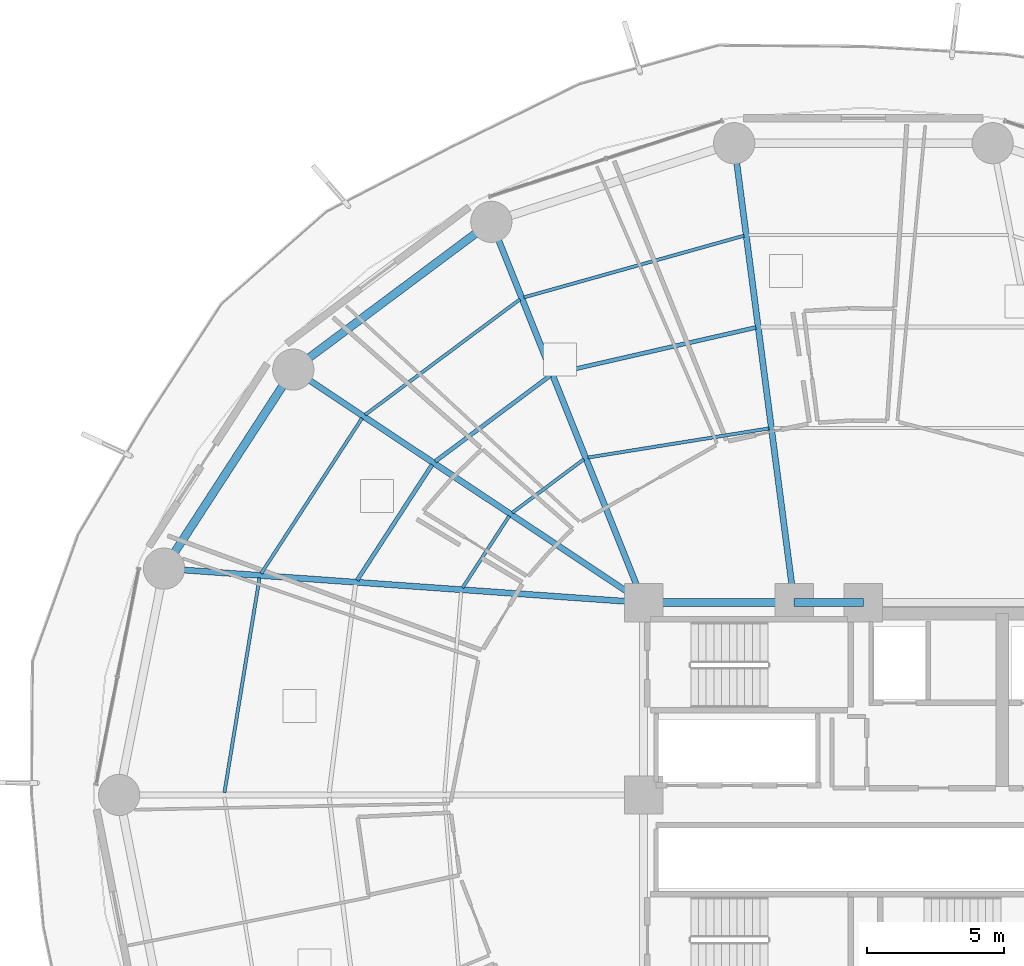
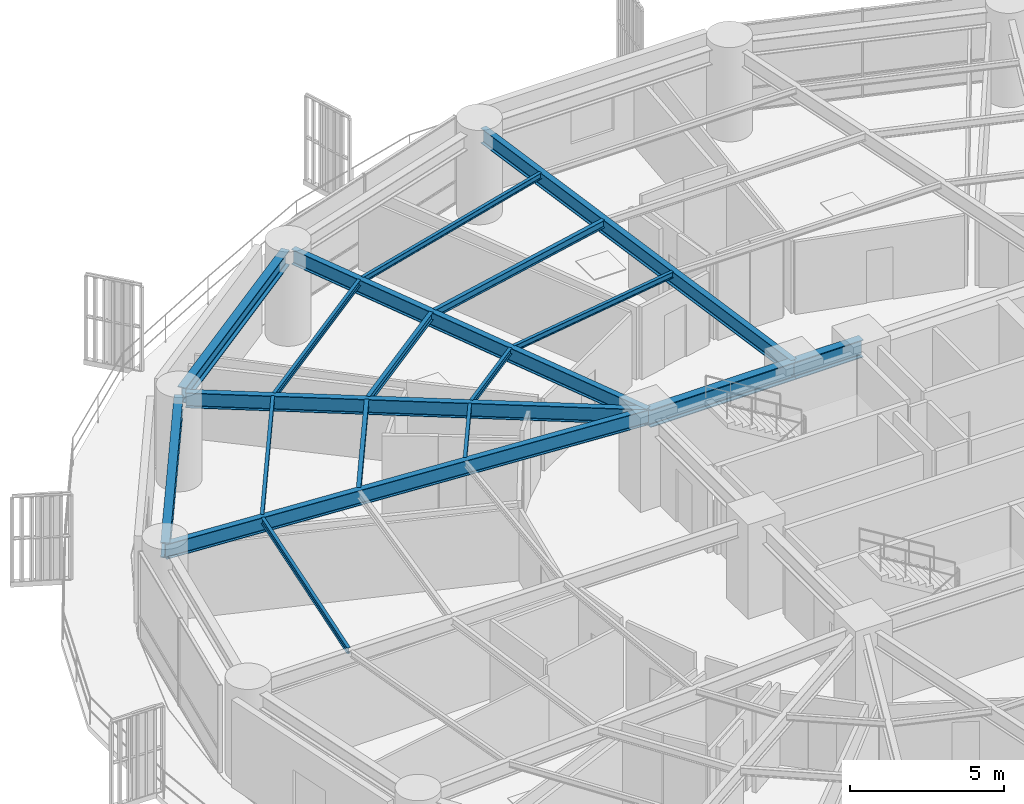
# One storey, part 16 of 34: 18 beams.
"""IFC4 building model written with IfcOpenShell, lengths in metres."""

import ifcopenshell
import ifcopenshell.guid

model = None  # the IFC model being written
_history = None  # IfcOwnerHistory: only IFC2X3 demands one
_inside = {}  # id of a spatial element -> (the spatial element, [elements in it])
_under = {}  # id of a project, library or spatial element -> (it, [spatial elements below it])
_declared = {}  # id of a project -> (the project, [libraries it declares])
_typed = {}  # id of a type object -> (the type object, [elements of that type])
_made_of = {}  # id of a material, layer set ... -> (it, [elements and type objects made of it])


def new_model(schema):
    """Start an empty IFC model of exactly this schema.

    Asked for "IFC4X3", IfcOpenShell would pick the latest addendum, in which some entities
    have other attributes; the version numbers below select the first issue.
    IFC2X3 requires an IfcOwnerHistory on every rooted entity: one is made here for all.
    """
    global model, _history
    if schema == "IFC4X3":
        model = ifcopenshell.file(schema_version=(4, 3, 0, 0))
    else:
        model = ifcopenshell.file(schema=schema)
    _inside.clear()
    _under.clear()
    _declared.clear()
    _typed.clear()
    _made_of.clear()
    _history = None
    if model.schema == "IFC2X3":
        org = make("IfcOrganization", Name="unknown")
        user = make(
            "IfcPersonAndOrganization",
            ThePerson=make("IfcPerson", FamilyName="unknown"),
            TheOrganization=org,
        )
        app = make(
            "IfcApplication",
            ApplicationDeveloper=org,
            Version="unknown",
            ApplicationFullName="unknown",
            ApplicationIdentifier="unknown",
        )
        _history = make(
            "IfcOwnerHistory",
            OwningUser=user,
            OwningApplication=app,
            ChangeAction="ADDED",
            CreationDate=0,
        )
    return model


def make(cls, **values):
    """One entity of the class cls with the attributes given. An attribute that is None is left unset."""
    return model.create_entity(
        cls, **{name: value for name, value in values.items() if value is not None}
    )


def rooted(cls, **values):
    """An entity with a GlobalId (a new one), such as an element, a storey or a relation."""
    return make(cls, GlobalId=ifcopenshell.guid.new(), OwnerHistory=_history, **values)


def si_unit(unit_type, name, prefix=None):
    """IfcSIUnit, for example si_unit("LENGTHUNIT", "METRE", prefix="MILLI")."""
    return make("IfcSIUnit", UnitType=unit_type, Prefix=prefix, Name=name)


def assignment(units):
    """IfcUnitAssignment: the units of a project."""
    return None if units is None else make("IfcUnitAssignment", Units=units)


def point(xyz):
    """IfcCartesianPoint."""
    return None if xyz is None else make("IfcCartesianPoint", Coordinates=xyz)


def direction(xyz):
    """IfcDirection."""
    return None if xyz is None else make("IfcDirection", DirectionRatios=xyz)


def frame(location, z_axis=None, x_axis=None):
    """IfcAxis2Placement3D, a coordinate frame: its origin and axes. An axis left out is left unset."""
    return make(
        "IfcAxis2Placement3D",
        Location=point(location),
        Axis=direction(z_axis),
        RefDirection=direction(x_axis),
    )


def frame_2d(location, x_axis=None):
    """IfcAxis2Placement2D, a coordinate frame in the plane: its origin and x axis."""
    return make(
        "IfcAxis2Placement2D", Location=point(location), RefDirection=direction(x_axis)
    )


def origin():
    """The frame at (0, 0, 0) with its axes left unset."""
    return frame((0.0, 0.0, 0.0))


def origin_2d():
    """The frame at (0, 0) in the plane with its x axis left unset."""
    return frame_2d((0.0, 0.0))


def place(relative_to, where):
    """IfcLocalPlacement: puts the frame where relative to a parent placement (None: the world)."""
    return make(
        "IfcLocalPlacement", PlacementRelTo=relative_to, RelativePlacement=where
    )


def context(
    kind, dimensions, precision=None, world=None, true_north=None, identifier=None
):
    """IfcGeometricRepresentationContext, for example the 3D "Model" context."""
    return make(
        "IfcGeometricRepresentationContext",
        ContextIdentifier=identifier,
        ContextType=kind,
        CoordinateSpaceDimension=dimensions,
        Precision=precision,
        WorldCoordinateSystem=world,
        TrueNorth=true_north,
    )


def subcontext(parent, identifier, kind, view, scale=None):
    """IfcGeometricRepresentationSubContext, for example "Body" below "Model"."""
    return make(
        "IfcGeometricRepresentationSubContext",
        ContextIdentifier=identifier,
        ContextType=kind,
        ParentContext=parent,
        TargetScale=scale,
        TargetView=view,
    )


def project(units=None, contexts=None):
    """IfcProject with its units and contexts."""
    return rooted(
        "IfcProject",
        Name="project",
        RepresentationContexts=contexts,
        UnitsInContext=assignment(units),
    )


def spatial(cls, under=None, at=None, **own):
    """A site, building, storey or space (cls), placed at a placement, below another one or the project."""
    s = rooted(cls, ObjectPlacement=at, **own)
    if under is not None:
        _under.setdefault(under.id(), (under, []))[1].append(s)
    return s


def profile(cls, at=None, kind="AREA", **sizes):
    """A parametric profile (cls). Its sizes go by their IFC names, for example OverallWidth=200.0."""
    return make(cls, ProfileType=kind, Position=at, **sizes)


def i_section(**sizes):
    """IfcIShapeProfileDef."""
    return profile("IfcIShapeProfileDef", **sizes)


def extrude(swept, where, along, depth):
    """IfcExtrudedAreaSolid: the profile swept, set in the frame where, extruded along a direction by depth."""
    return make(
        "IfcExtrudedAreaSolid",
        SweptArea=swept,
        Position=where,
        ExtrudedDirection=direction(along),
        Depth=depth,
    )


def shape(context_of_items, identifier, shape_type, items):
    """IfcShapeRepresentation: the items that make up one representation, for example the "Body"."""
    return make(
        "IfcShapeRepresentation",
        ContextOfItems=context_of_items,
        RepresentationIdentifier=identifier,
        RepresentationType=shape_type,
        Items=items,
    )


def material(Name=None, Category=None):
    """IfcMaterial."""
    return make("IfcMaterial", Name=Name, Category=Category)


def material_profile(
    of_material, cross_section, Name=None, Category=None, Priority=None
):
    """IfcMaterialProfile: a cross section and its material."""
    return make(
        "IfcMaterialProfile",
        Name=Name,
        Material=of_material,
        Profile=cross_section,
        Priority=Priority,
        Category=Category,
    )


def profile_set(profiles, Name=None, composite=None):
    """IfcMaterialProfileSet."""
    return make(
        "IfcMaterialProfileSet",
        Name=Name,
        MaterialProfiles=profiles,
        CompositeProfile=composite,
    )


def made_of(thing, what):
    """Note that an element or type object is made of a material, layer set ...; save() writes the relation."""
    if what is not None:
        _made_of.setdefault(what.id(), (what, []))[1].append(thing)
    return thing


def type_object(cls, material=None, **own):
    """A type object (cls), such as IfcWallType, which elements share."""
    return made_of(rooted(cls, **own), material)


def element(
    cls,
    number,
    at=None,
    inside=None,
    cuts=None,
    type_object=None,
    material=None,
    context=None,
    identifier="Body",
    shape_type=None,
    held_by="IfcProductDefinitionShape",
    body=None,
    shapes=None,
    **own,
):
    """One element of the class cls, such as IfcWall. Its Tag is "e" and its number.

    at: its placement. inside: the storey or other place that contains it. cuts: it is an
    opening in that element (IfcRelVoidsElement). A single representation is given by context,
    identifier, shape_type and body (its items); several are given by shapes. held_by: the class
    of the entity that holds the representations. save() writes the other relations.
    """
    e = rooted(cls, Tag="e%d" % number, ObjectPlacement=at, **own)
    if body is not None:
        shapes = [shape(context, identifier, shape_type, body)]
    if shapes is not None:
        e.Representation = make(held_by, Representations=shapes)
    if inside is not None:
        _inside.setdefault(inside.id(), (inside, []))[1].append(e)
    if cuts is not None:
        rooted(
            "IfcRelVoidsElement", RelatingBuildingElement=cuts, RelatedOpeningElement=e
        )
    if type_object is not None:
        _typed.setdefault(type_object.id(), (type_object, []))[1].append(e)
    return made_of(e, material)


def aggregate(whole, parts):
    """IfcRelAggregates: a whole, such as a stair, and the parts it consists of."""
    return rooted("IfcRelAggregates", RelatingObject=whole, RelatedObjects=parts)


def save(model, path):
    """Write the relations noted so far, then the file.

    IfcRelAggregates (storeys below a building ...), IfcRelContainedInSpatialStructure (elements
    in a storey), IfcRelDefinesByType, IfcRelAssociatesMaterial and IfcRelDeclares: one each for
    every whole, place, type object, material and project.
    """
    for whole, parts in _under.values():
        aggregate(whole, parts)
    for where, things in _inside.values():
        rooted(
            "IfcRelContainedInSpatialStructure",
            RelatedElements=things,
            RelatingStructure=where,
        )
    for kind, things in _typed.values():
        rooted("IfcRelDefinesByType", RelatedObjects=things, RelatingType=kind)
    for what, things in _made_of.values():
        rooted("IfcRelAssociatesMaterial", RelatedObjects=things, RelatingMaterial=what)
    for by, libraries in _declared.values():
        rooted("IfcRelDeclares", RelatingContext=by, RelatedDefinitions=libraries)
    model.write(path)


model = new_model("IFC4")

# Units and contexts
model_context = context("Model", 3, precision=1e-05, world=origin(), true_north=direction((0.0, 1.0)))
body_context = subcontext(model_context, "Body", "Model", "MODEL_VIEW")
ifc_project = project(units=[si_unit("LENGTHUNIT", "METRE"), si_unit("AREAUNIT", "SQUARE_METRE"), si_unit("VOLUMEUNIT", "CUBIC_METRE"), si_unit("PLANEANGLEUNIT", "RADIAN"), si_unit("MASSUNIT", "GRAM", prefix="KILO")], contexts=[model_context])

# Site, building, storey
site_placement = place(None, origin())
site = spatial("IfcSite", under=ifc_project, at=site_placement, CompositionType="ELEMENT")
building_placement = place(site_placement, origin())
building = spatial("IfcBuilding", under=site, at=building_placement, Name="Kelanora Arch Commons", CompositionType="ELEMENT")
storey_placement = place(building_placement, frame((0.0, 0.0, 33.75)))
storey = spatial("IfcBuildingStorey", under=building, at=storey_placement, Name="L08", CompositionType="ELEMENT", Elevation=33.75)

# Beams
ifc_material = material(Name="Steel S355", Category="steel")
ifc_material_profile_1 = material_profile(ifc_material, i_section(OverallWidth=0.300048828125, OverallDepth=0.699951171875, WebThickness=0.01708984375, FlangeThickness=0.031982421875, FilletRadius=0.027099609375, at=origin_2d()), Name="HEB700")
ifc_profile_set_1 = profile_set([ifc_material_profile_1], Name="Steel S355")
beam_type_1 = type_object("IfcBeamType", Name="BM-CORE-HDR", PredefinedType="BEAM", material=ifc_profile_set_1)
beam_1_placement = place(storey_placement, frame((74.0, 65.0, 3.139892578125), z_axis=(-1.0, 0.0, 0.0), x_axis=(0.0, -1.0, 0.0)))
element("IfcBeam", 1, at=beam_1_placement, inside=storey, type_object=beam_type_1, Name="Core Header Beam 06 L08", PredefinedType="BEAM", context=body_context, shape_type="SweptSolid", body=[
    extrude(i_section(OverallWidth=0.300048828125, OverallDepth=0.699951171875, WebThickness=0.01708984375, FlangeThickness=0.031982421875, FilletRadius=0.027099609375, at=origin_2d()), origin(), (0.0, 0.0, 1.0), 2.52001953125),
])
beam_2_placement = place(storey_placement, frame((71.47998046875, 65.0, 3.139892578125), z_axis=(-1.0, 0.0, 0.0), x_axis=(0.0, -1.0, 0.0)))
element("IfcBeam", 2, at=beam_2_placement, inside=storey, type_object=beam_type_1, Name="Core Header Beam 07 L08", PredefinedType="BEAM", context=body_context, shape_type="SweptSolid", body=[
    extrude(i_section(OverallWidth=0.300048828125, OverallDepth=0.699951171875, WebThickness=0.01708984375, FlangeThickness=0.031982421875, FilletRadius=0.027099609375, at=origin_2d()), origin(), (0.0, 0.0, 1.0), 5.47998046875),
])
ifc_material_profile_2 = material_profile(ifc_material, i_section(OverallWidth=0.14990234375, OverallDepth=0.300048828125, WebThickness=0.007080078125, FlangeThickness=0.0107421875, FilletRadius=0.014892578125, at=origin_2d()), Name="IPE300")
ifc_profile_set_2 = profile_set([ifc_material_profile_2], Name="Steel S355")
beam_type_2 = type_object("IfcBeamType", Name="BM-JST-01", PredefinedType="JOIST", material=ifc_profile_set_2)
beam_3_placement = place(storey_placement, frame((70.087646484375, 75.009521484375, 3.340087890625), z_axis=(-0.974770159254, -0.223210968877, 0.0), x_axis=(0.223210968877, -0.974770159254, 0.0)))
element("IfcBeam", 3, at=beam_3_placement, inside=storey, type_object=beam_type_2, Name="Secondary Chord Joist BJB-10 L08", PredefinedType="JOIST", context=body_context, shape_type="SweptSolid", body=[
    extrude(i_section(OverallWidth=0.14990234375, OverallDepth=0.300048828125, WebThickness=0.007080078125, FlangeThickness=0.0107421875, FilletRadius=0.014892578125, at=origin_2d()), origin(), (0.0, 0.0, 1.0), 7.5185546875),
])
beam_4_placement = place(storey_placement, frame((62.60791015625, 73.261474609375, 3.340087890625), z_axis=(-0.801478251559, -0.598023922831, 0.0), x_axis=(0.598023922831, -0.801478251559, 0.0)))
element("IfcBeam", 4, at=beam_4_placement, inside=storey, type_object=beam_type_2, Name="Secondary Chord Joist BJB-12 L08", PredefinedType="JOIST", context=body_context, shape_type="SweptSolid", body=[
    extrude(i_section(OverallWidth=0.14990234375, OverallDepth=0.300048828125, WebThickness=0.007080078125, FlangeThickness=0.0107421875, FilletRadius=0.014892578125, at=origin_2d()), origin(), (0.0, 0.0, 1.0), 5.223388671875),
])
beam_5_placement = place(storey_placement, frame((58.306884765625, 70.015625, 3.340087890625), z_axis=(-0.544551588245, -0.838727350061, 0.0), x_axis=(0.838727350061, -0.544551588245, 0.0)))
element("IfcBeam", 5, at=beam_5_placement, inside=storey, type_object=beam_type_2, Name="Secondary Chord Joist BJB-14 L08", PredefinedType="JOIST", context=body_context, shape_type="SweptSolid", body=[
    extrude(i_section(OverallWidth=0.14990234375, OverallDepth=0.300048828125, WebThickness=0.007080078125, FlangeThickness=0.0107421875, FilletRadius=0.014892578125, at=origin_2d()), origin(), (0.0, 0.0, 1.0), 5.010986328125),
])
ifc_material_profile_3 = material_profile(ifc_material, i_section(OverallWidth=0.1201171875, OverallDepth=0.239990234375, WebThickness=0.006103515625, FlangeThickness=0.009765625, FilletRadius=0.014892578125, at=origin_2d()), Name="IPE240")
ifc_profile_set_3 = profile_set([ifc_material_profile_3], Name="Steel S355")
beam_type_3 = type_object("IfcBeamType", Name="BM-JST-02", PredefinedType="JOIST", material=ifc_profile_set_3)
beam_6_placement = place(storey_placement, frame((70.56689453125, 71.337890625, 3.3701171875), z_axis=(-0.987306715654, -0.158825215959, 0.0), x_axis=(0.158825215959, -0.987306715654, 0.0)))
element("IfcBeam", 6, at=beam_6_placement, inside=storey, type_object=beam_type_3, Name="Secondary Chord Joist BJA-10 L08", PredefinedType="JOIST", context=body_context, shape_type="SweptSolid", body=[
    extrude(i_section(OverallWidth=0.1201171875, OverallDepth=0.239990234375, WebThickness=0.006103515625, FlangeThickness=0.009765625, FilletRadius=0.014892578125, at=origin_2d()), origin(), (0.0, 0.0, 1.0), 6.6728515625),
])
beam_7_placement = place(storey_placement, frame((69.652099609375, 78.348388671875, 3.3701171875), z_axis=(-0.962914880978, -0.269805359456, 0.0), x_axis=(0.269805359456, -0.962914880978, 0.0)))
element("IfcBeam", 7, at=beam_7_placement, inside=storey, type_object=beam_type_3, Name="Secondary Chord Joist BJC-10 L08", PredefinedType="JOIST", context=body_context, shape_type="SweptSolid", body=[
    extrude(i_section(OverallWidth=0.1201171875, OverallDepth=0.239990234375, WebThickness=0.006103515625, FlangeThickness=0.009765625, FilletRadius=0.014892578125, at=origin_2d()), origin(), (0.0, 0.0, 1.0), 8.310302734375),
])
beam_8_placement = place(storey_placement, frame((63.82666015625, 70.213623046875, 3.3701171875), z_axis=(-0.801513822608, -0.59797624716, 0.0), x_axis=(0.59797624716, -0.801513822608, 0.0)))
element("IfcBeam", 8, at=beam_8_placement, inside=storey, type_object=beam_type_3, Name="Secondary Chord Joist BJA-12 L08", PredefinedType="JOIST", context=body_context, shape_type="SweptSolid", body=[
    extrude(i_section(OverallWidth=0.1201171875, OverallDepth=0.239990234375, WebThickness=0.006103515625, FlangeThickness=0.009765625, FilletRadius=0.014892578125, at=origin_2d()), origin(), (0.0, 0.0, 1.0), 3.245849609375),
])
beam_9_placement = place(storey_placement, frame((61.5, 76.0322265625, 3.3701171875), z_axis=(-0.80149131963, -0.598006408459, 0.0), x_axis=(0.598006408459, -0.80149131963, 0.0)))
element("IfcBeam", 9, at=beam_9_placement, inside=storey, type_object=beam_type_3, Name="Secondary Chord Joist BJC-12 L08", PredefinedType="JOIST", context=body_context, shape_type="SweptSolid", body=[
    extrude(i_section(OverallWidth=0.1201171875, OverallDepth=0.239990234375, WebThickness=0.006103515625, FlangeThickness=0.009765625, FilletRadius=0.014892578125, at=origin_2d()), origin(), (0.0, 0.0, 1.0), 7.021240234375),
])
beam_10_placement = place(storey_placement, frame((61.11083984375, 68.150390625, 3.3701171875), z_axis=(-0.544591105858, -0.838701691557, 0.0), x_axis=(0.838701691557, -0.544591105858, 0.0)))
element("IfcBeam", 10, at=beam_10_placement, inside=storey, type_object=beam_type_3, Name="Secondary Chord Joist BJA-14 L08", PredefinedType="JOIST", context=body_context, shape_type="SweptSolid", body=[
    extrude(i_section(OverallWidth=0.1201171875, OverallDepth=0.239990234375, WebThickness=0.006103515625, FlangeThickness=0.009765625, FilletRadius=0.014892578125, at=origin_2d()), origin(), (0.0, 0.0, 1.0), 3.111328125),
])
beam_11_placement = place(storey_placement, frame((55.758056640625, 71.711181640625, 3.3701171875), z_axis=(-0.544550165372, -0.838728273873, 0.0), x_axis=(0.838728273873, -0.544550165372, 0.0)))
element("IfcBeam", 11, at=beam_11_placement, inside=storey, type_object=beam_type_3, Name="Secondary Chord Joist BJC-14 L08", PredefinedType="JOIST", context=body_context, shape_type="SweptSolid", body=[
    extrude(i_section(OverallWidth=0.1201171875, OverallDepth=0.239990234375, WebThickness=0.006103515625, FlangeThickness=0.009765625, FilletRadius=0.014892578125, at=origin_2d()), origin(), (0.0, 0.0, 1.0), 6.738037109375),
])
beam_12_placement = place(storey_placement, frame((52.02880859375, 65.90478515625, 3.3701171875), z_axis=(-0.161400737199, -0.986888951216, 0.0), x_axis=(0.986888951216, -0.161400737199, 0.0)))
element("IfcBeam", 12, at=beam_12_placement, inside=storey, type_object=beam_type_3, Name="Secondary Chord Joist BJC-16 L08", PredefinedType="JOIST", context=body_context, shape_type="SweptSolid", body=[
    extrude(i_section(OverallWidth=0.1201171875, OverallDepth=0.239990234375, WebThickness=0.006103515625, FlangeThickness=0.009765625, FilletRadius=0.014892578125, at=origin_2d()), origin(), (0.0, 0.0, 1.0), 7.9248046875),
])
ifc_material_profile_4 = material_profile(ifc_material, i_section(OverallWidth=0.219970703125, OverallDepth=0.60009765625, WebThickness=0.011962890625, FlangeThickness=0.01904296875, FilletRadius=0.02392578125, at=origin_2d()), Name="IPE600")
ifc_profile_set_4 = profile_set([ifc_material_profile_4], Name="Steel S355")
beam_type_4 = type_object("IfcBeamType", Name="BM-RAD-Z1", PredefinedType="BEAM", material=ifc_profile_set_4)
beam_13_placement = place(storey_placement, frame((71.47998046875, 65.0, 3.18994140625), z_axis=(-0.129465914729, 0.991583872864, 0.0), x_axis=(-0.991583872864, -0.129465914729, 0.0)))
element("IfcBeam", 13, at=beam_13_placement, inside=storey, type_object=beam_type_4, Name="Radial Floor Girder BR-10 L08", PredefinedType="BEAM", context=body_context, shape_type="SweptSolid", body=[
    extrude(i_section(OverallWidth=0.219970703125, OverallDepth=0.60009765625, WebThickness=0.011962890625, FlangeThickness=0.01904296875, FilletRadius=0.02392578125, at=origin_2d()), origin(), (0.0, 0.0, 1.0), 16.635986328125),
])
beam_14_placement = place(storey_placement, frame((66.0, 65.0, 3.18994140625), z_axis=(-0.371296182896, 0.928514482691, 0.0), x_axis=(-0.928514482691, -0.371296182896, 0.0)))
element("IfcBeam", 14, at=beam_14_placement, inside=storey, type_object=beam_type_4, Name="Radial Floor Girder BR-12 L08", PredefinedType="BEAM", context=body_context, shape_type="SweptSolid", body=[
    extrude(i_section(OverallWidth=0.219970703125, OverallDepth=0.60009765625, WebThickness=0.011962890625, FlangeThickness=0.01904296875, FilletRadius=0.02392578125, at=origin_2d()), origin(), (0.0, 0.0, 1.0), 14.700439453125),
])
beam_15_placement = place(storey_placement, frame((66.0, 65.0, 3.18994140625), z_axis=(-0.832592623638, 0.553885839379, 0.0), x_axis=(-0.553885839379, -0.832592623638, 0.0)))
element("IfcBeam", 15, at=beam_15_placement, inside=storey, type_object=beam_type_4, Name="Radial Floor Girder BR-14 L08", PredefinedType="BEAM", context=body_context, shape_type="SweptSolid", body=[
    extrude(i_section(OverallWidth=0.219970703125, OverallDepth=0.60009765625, WebThickness=0.011962890625, FlangeThickness=0.01904296875, FilletRadius=0.02392578125, at=origin_2d()), origin(), (0.0, 0.0, 1.0), 15.0869140625),
])
beam_16_placement = place(storey_placement, frame((66.0, 65.0, 3.18994140625), z_axis=(-0.997500683472, 0.070656821848, 0.0), x_axis=(-0.070656821848, -0.997500683472, 0.0)))
element("IfcBeam", 16, at=beam_16_placement, inside=storey, type_object=beam_type_4, Name="Radial Floor Girder BR-16 L08", PredefinedType="BEAM", context=body_context, shape_type="SweptSolid", body=[
    extrude(i_section(OverallWidth=0.219970703125, OverallDepth=0.60009765625, WebThickness=0.011962890625, FlangeThickness=0.01904296875, FilletRadius=0.02392578125, at=origin_2d()), origin(), (0.0, 0.0, 1.0), 17.49072265625),
])
ifc_material_profile_5 = material_profile(ifc_material, i_section(OverallWidth=0.300048828125, OverallDepth=0.60009765625, WebThickness=0.015380859375, FlangeThickness=0.030029296875, FilletRadius=0.027099609375, at=origin_2d()), Name="HEB600")
ifc_profile_set_5 = profile_set([ifc_material_profile_5], Name="Steel S355")
beam_type_5 = type_object("IfcBeamType", Name="BM-SPN-Z1", PredefinedType="SPANDREL", material=ifc_profile_set_5)
beam_17_placement = place(storey_placement, frame((60.28369140625, 78.722412109375, 3.18994140625), z_axis=(-0.801474585329, -0.598028836322, 0.0), x_axis=(0.598028836322, -0.801474585329, 0.0)))
element("IfcBeam", 17, at=beam_17_placement, inside=storey, type_object=beam_type_5, Name="Perimeter Spandrel Beam BS-12 L08", PredefinedType="SPANDREL", context=body_context, shape_type="SweptSolid", body=[
    extrude(i_section(OverallWidth=0.300048828125, OverallDepth=0.60009765625, WebThickness=0.015380859375, FlangeThickness=0.030029296875, FilletRadius=0.027099609375, at=origin_2d()), origin(), (0.0, 0.0, 1.0), 8.549072265625),
])
beam_18_placement = place(storey_placement, frame((53.1357421875, 73.293701171875, 3.18994140625), z_axis=(-0.544583445345, -0.83870666568, 0.0), x_axis=(0.83870666568, -0.544583445345, 0.0)))
element("IfcBeam", 18, at=beam_18_placement, inside=storey, type_object=beam_type_5, Name="Perimeter Spandrel Beam BS-14 L08", PredefinedType="SPANDREL", context=body_context, shape_type="SweptSolid", body=[
    extrude(i_section(OverallWidth=0.300048828125, OverallDepth=0.60009765625, WebThickness=0.015380859375, FlangeThickness=0.030029296875, FilletRadius=0.027099609375, at=origin_2d()), origin(), (0.0, 0.0, 1.0), 8.415283203125),
])

save(model, "model.ifc")
